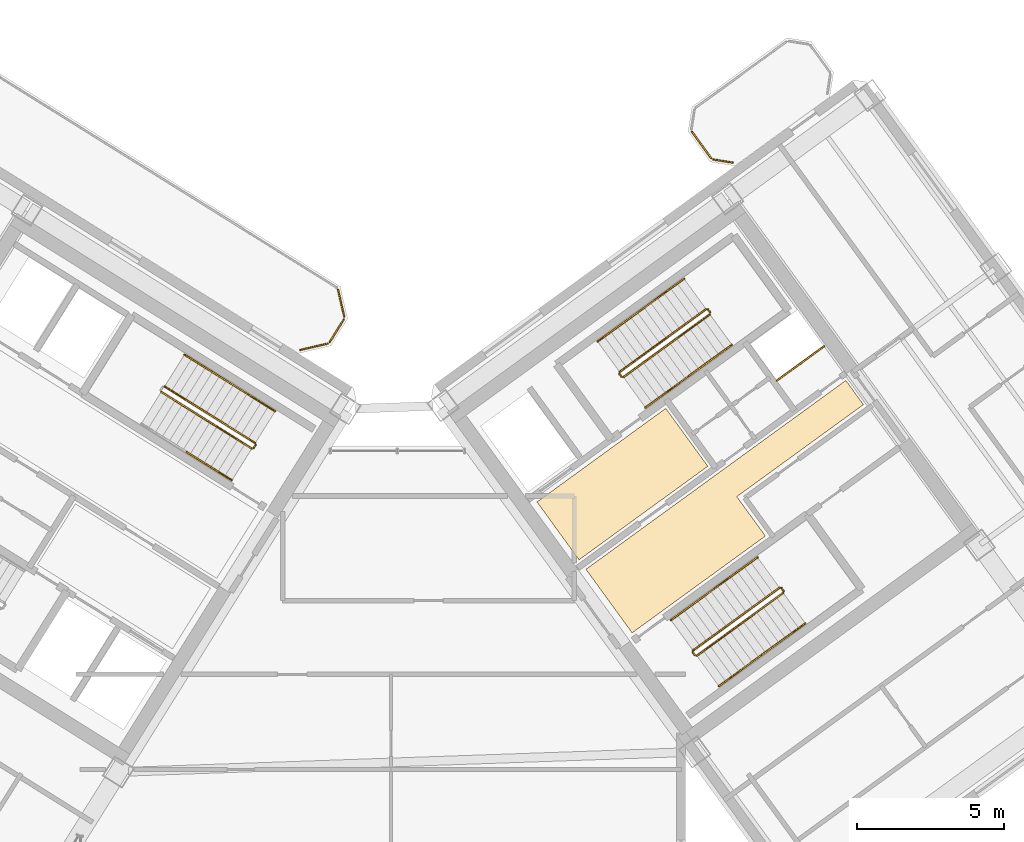
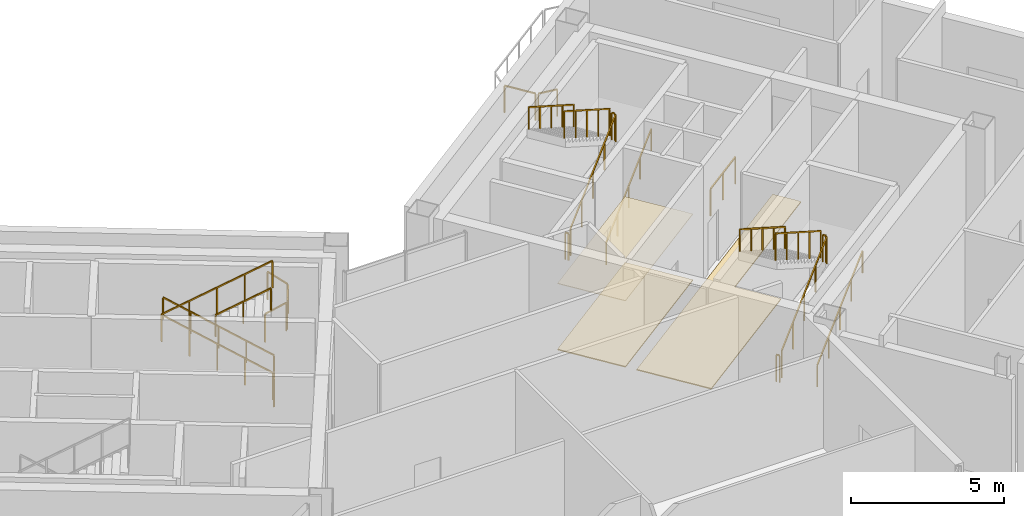
# One storey, part 25 of 26: 28 railings, 3 coverings.
"""IFC4 building model written with IfcOpenShell, lengths in metres."""

from ifc_helpers import new_model, si_unit, direction, frame, origin, origin_2d, place, context, subcontext, project, spatial, polyline, rectangle, outline, extrude, source, transform, mapped, material, layer, layer_set, type_object, element, save


model = new_model("IFC4")

# Units and contexts
model_context = context("Model", 3, precision=1e-05, world=origin(), true_north=direction((0.0, 1.0)))
body_context = subcontext(model_context, "Body", "Model", "MODEL_VIEW")
ifc_project = project(units=[si_unit("LENGTHUNIT", "METRE"), si_unit("AREAUNIT", "SQUARE_METRE"), si_unit("VOLUMEUNIT", "CUBIC_METRE"), si_unit("PLANEANGLEUNIT", "RADIAN"), si_unit("MASSUNIT", "GRAM", prefix="KILO")], contexts=[model_context])

# Site, building, storey
site_placement = place(None, origin())
site = spatial("IfcSite", under=ifc_project, at=site_placement, CompositionType="ELEMENT")
building_placement = place(site_placement, origin())
building = spatial("IfcBuilding", under=site, at=building_placement, Name="Tlacorven Tower", CompositionType="ELEMENT")
storey_placement = place(building_placement, frame((0.0, 0.0, 233.699951171875)))
storey = spatial("IfcBuildingStorey", under=building, at=storey_placement, Name="L59", CompositionType="ELEMENT", Elevation=233.699951171875)

# Coverings
ifc_material_1 = material(Name="Acoustic mineral-fibre ceiling")
ifc_layer_1 = layer(ifc_material_1, 0.02490234375)
ifc_layer_set_1 = layer_set([ifc_layer_1], Name="Acoustic mineral-fibre ceiling")
covering_type_1 = type_object("IfcCoveringType", Name="CV-CLG-ACST", PredefinedType="CEILING", material=ifc_layer_set_1)
covering_1_placement = place(storey_placement, frame((0.0, 0.0, 2.650146484375)))
element("IfcCovering", 1, at=covering_1_placement, inside=storey, type_object=covering_type_1, Name="L59 Acoustic Suspended Ceiling 3", PredefinedType="CEILING", context=body_context, shape_type="SweptSolid", body=[
    extrude(outline(polyline([(48.760498046875, 19.326171875), (47.326171875, 21.300048828125), (51.71923828125, 24.49169921875), (53.1533203125, 22.517822265625), (48.760498046875, 19.326171875)])), origin(), (0.0, 0.0, 1.0), 0.02490234375),
])
ifc_material_2 = material(Name="Terrazzo and ceramic flooring")
ifc_layer_2 = layer(ifc_material_2, 0.0400390625)
ifc_layer_set_2 = layer_set([ifc_layer_2], Name="Terrazzo and ceramic flooring")
covering_type_2 = type_object("IfcCoveringType", Name="CV-FLR-TERZ", PredefinedType="FLOORING", material=ifc_layer_set_2)
covering_2_placement = place(storey_placement, origin())
element("IfcCovering", 2, at=covering_2_placement, inside=storey, type_object=covering_type_2, Name="L59 Terrazzo Floor Finish 3", PredefinedType="FLOORING", context=body_context, shape_type="SweptSolid", body=[
    extrude(outline(polyline([(48.760498046875, 19.326171875), (47.326171875, 21.300048828125), (51.71923828125, 24.49169921875), (53.1533203125, 22.517822265625), (48.760498046875, 19.326171875)])), origin(), (0.0, 0.0, 1.0), 0.0400390625),
])
covering_3_placement = place(storey_placement, origin())
element("IfcCovering", 3, at=covering_3_placement, inside=storey, type_object=covering_type_2, Name="L59 Terrazzo Floor Finish 4", PredefinedType="FLOORING", context=body_context, shape_type="SweptSolid", body=[
    extrude(outline(polyline([(50.57080078125, 16.834228515625), (48.99560546875, 19.00244140625), (57.8623046875, 25.444580078125), (58.4619140625, 24.619384765625), (54.141845703125, 21.480712890625), (55.117431640625, 20.1376953125), (50.57080078125, 16.834228515625)])), origin(), (0.0, 0.0, 1.0), 0.0400390625),
])

# Railings
ifc_material_3 = material(Name="Aluminium and painted steel balustrade", Category="steel")
railing_type_1 = type_object("IfcRailingType", Name="RL-GRD-1100", PredefinedType="GUARDRAIL", material=ifc_material_3)
shared_shape_1 = source(origin(), body_context, "Body", "SweptSolid", [
    extrude(rectangle(XDim=0.048095703125, YDim=0.048095703125, at=origin_2d()), frame((0.0, 0.0, 1.076171875), z_axis=(0.808947177504, 0.587881334972, 0.0), x_axis=(-0.587881334972, 0.808947177504, 0.0)), (0.0, 0.0, 1.0), 2.0),
    extrude(rectangle(XDim=0.0419921875, YDim=0.0419921875, at=origin_2d()), origin(), (0.0, 0.0, 1.0), 1.052001953125),
    extrude(rectangle(XDim=0.0419921875, YDim=0.0419921875, at=origin_2d()), frame((0.80908203125, 0.587890625, 0.0)), (0.0, 0.0, 1.0), 1.052001953125),
    extrude(rectangle(XDim=0.0419921875, YDim=0.0419921875, at=origin_2d()), frame((1.617919921875, 1.17578125, 0.0)), (0.0, 0.0, 1.0), 1.052001953125),
])
railing_1_placement = place(storey_placement, frame((55.506103515625, 25.438232421875, 0.0)))
element("IfcRailing", 4, at=railing_1_placement, inside=storey, type_object=railing_type_1, Name="L59 Electrical Riser E Shaft Guard 1", PredefinedType="GUARDRAIL", context=body_context, shape_type="MappedRepresentation", body=[
    mapped(shared_shape_1, transform((0.0, 0.0, 0.0), scale=1.0)),
])
railing_type_2 = type_object("IfcRailingType", Name="RL-BAL-1100", PredefinedType="BALUSTRADE", material=ifc_material_3)
shared_shape_2 = source(origin(), body_context, "Body", "SweptSolid", [
    extrude(rectangle(XDim=0.048095703125, YDim=0.048095703125, at=origin_2d()), frame((0.0, 0.0, 1.076171875), z_axis=(-0.987718317463, 0.156245081039, 0.0), x_axis=(-0.156245081039, -0.987718317463, 0.0)), (0.0, 0.0, 1.0), 0.66552734375),
    extrude(rectangle(XDim=0.0419921875, YDim=0.0419921875, at=origin_2d()), origin(), (0.0, 0.0, 1.0), 1.052001953125),
    extrude(rectangle(XDim=0.0419921875, YDim=0.0419921875, at=origin_2d()), frame((-0.657470703125, 0.10400390625, 0.0)), (0.0, 0.0, 1.0), 1.052001953125),
])
railing_2_placement = place(storey_placement, frame((54.00341796875, 32.8759765625, 0.0)))
element("IfcRailing", 5, at=railing_2_placement, inside=storey, type_object=railing_type_2, Name="BAL-L59-E-IN Guard Railing 1", PredefinedType="BALUSTRADE", context=body_context, shape_type="MappedRepresentation", body=[
    mapped(shared_shape_2, transform((0.0, 0.0, 0.0), scale=1.0)),
])
shared_shape_3 = source(origin(), body_context, "Body", "SweptSolid", [
    extrude(rectangle(XDim=0.048095703125, YDim=0.048095703125, at=origin_2d()), frame((0.0, 0.0, 1.076171875), z_axis=(-0.587740817519, 0.809049276263, 0.0), x_axis=(-0.809049276263, -0.587740817519, 0.0)), (0.0, 0.0, 1.0), 1.112060546875),
    extrude(rectangle(XDim=0.0419921875, YDim=0.0419921875, at=origin_2d()), origin(), (0.0, 0.0, 1.0), 1.052001953125),
    extrude(rectangle(XDim=0.0419921875, YDim=0.0419921875, at=origin_2d()), frame((-0.653564453125, 0.899658203125, 0.0)), (0.0, 0.0, 1.0), 1.052001953125),
])
railing_3_placement = place(storey_placement, frame((53.26708984375, 33.0283203125, 0.0)))
element("IfcRailing", 6, at=railing_3_placement, inside=storey, type_object=railing_type_2, Name="BAL-L59-E-IN Guard Railing 2", PredefinedType="BALUSTRADE", context=body_context, shape_type="MappedRepresentation", body=[
    mapped(shared_shape_3, transform((0.0, 0.0, 0.0), scale=1.0)),
])
railing_type_3 = type_object("IfcRailingType", Name="RL-GRD-1150", PredefinedType="GUARDRAIL", material=ifc_material_3)
shared_shape_4 = source(origin(), body_context, "Body", "SweptSolid", [
    extrude(rectangle(XDim=0.048095703125, YDim=0.048095703125, at=origin_2d()), frame((0.0, 0.0, 1.1259765625), z_axis=(0.224690328384, -0.974430221376, 0.0), x_axis=(0.974430221376, 0.224690328384, 0.0)), (0.0, 0.0, 1.0), 0.948486328125),
    extrude(rectangle(XDim=0.0419921875, YDim=0.0419921875, at=origin_2d()), origin(), (0.0, 0.0, 1.0), 1.101806640625),
    extrude(rectangle(XDim=0.0419921875, YDim=0.0419921875, at=origin_2d()), frame((0.213134765625, -0.92431640625, 0.0)), (0.0, 0.0, 1.0), 1.101806640625),
])
railing_4_placement = place(storey_placement, frame((40.538330078125, 28.541748046875, 0.0)))
element("IfcRailing", 7, at=railing_4_placement, inside=storey, type_object=railing_type_3, Name="TER-L59-SGW Guard Railing 1", PredefinedType="GUARDRAIL", context=body_context, shape_type="MappedRepresentation", body=[
    mapped(shared_shape_4, transform((0.0, 0.0, 0.0), scale=1.0)),
])
shared_shape_5 = source(origin(), body_context, "Body", "SweptSolid", [
    extrude(rectangle(XDim=0.048095703125, YDim=0.048095703125, at=origin_2d()), frame((0.0, 0.0, 1.1259765625), z_axis=(-0.52987865805, -0.848073468364, 0.0), x_axis=(0.848073468364, -0.52987865805, 0.0)), (0.0, 0.0, 1.0), 0.912353515625),
    extrude(rectangle(XDim=0.0419921875, YDim=0.0419921875, at=origin_2d()), origin(), (0.0, 0.0, 1.0), 1.101806640625),
    extrude(rectangle(XDim=0.0419921875, YDim=0.0419921875, at=origin_2d()), frame((-0.4833984375, -0.773681640625, 0.0)), (0.0, 0.0, 1.0), 1.101806640625),
])
railing_5_placement = place(storey_placement, frame((40.736328125, 27.5263671875, 0.0)))
element("IfcRailing", 8, at=railing_5_placement, inside=storey, type_object=railing_type_3, Name="TER-L59-SGW Guard Railing 2", PredefinedType="GUARDRAIL", context=body_context, shape_type="MappedRepresentation", body=[
    mapped(shared_shape_5, transform((0.0, 0.0, 0.0), scale=1.0)),
])
shared_shape_6 = source(origin(), body_context, "Body", "SweptSolid", [
    extrude(rectangle(XDim=0.048095703125, YDim=0.048095703125, at=origin_2d()), frame((0.0, 0.0, 1.1259765625), z_axis=(-0.974373842523, -0.224934690535, 0.0), x_axis=(0.224934690535, -0.974373842523, 0.0)), (0.0, 0.0, 1.0), 0.94873046875),
    extrude(rectangle(XDim=0.0419921875, YDim=0.0419921875, at=origin_2d()), origin(), (0.0, 0.0, 1.0), 1.101806640625),
    extrude(rectangle(XDim=0.0419921875, YDim=0.0419921875, at=origin_2d()), frame((-0.92431640625, -0.21337890625, 0.0)), (0.0, 0.0, 1.0), 1.101806640625),
])
railing_6_placement = place(storey_placement, frame((40.177734375, 26.69921875, 0.0)))
element("IfcRailing", 9, at=railing_6_placement, inside=storey, type_object=railing_type_3, Name="TER-L59-SGW Guard Railing 3", PredefinedType="GUARDRAIL", context=body_context, shape_type="MappedRepresentation", body=[
    mapped(shared_shape_6, transform((0.0, 0.0, 0.0), scale=1.0)),
])
railing_type_4 = type_object("IfcRailingType", Name="RL-HND-0900", PredefinedType="HANDRAIL", material=ifc_material_3)
shared_shape_7 = source(origin(), body_context, "Body", "SweptSolid", [
    extrude(rectangle(XDim=0.048095703125, YDim=0.048095703125, at=origin_2d()), frame((0.0, 0.0, 0.8759765625), z_axis=(-0.723280932889, 0.45190757433, 0.522153460567), x_axis=(-0.529878353595, -0.848073658589, 0.0)), (0.0, 0.0, 1.0), 2.134033203125),
    extrude(rectangle(XDim=0.0419921875, YDim=0.0419921875, at=origin_2d()), origin(), (0.0, 0.0, 1.0), 0.851806640625),
    extrude(rectangle(XDim=0.0419921875, YDim=0.0419921875, at=origin_2d()), frame((-0.771728515625, 0.482177734375, 0.55712890625)), (0.0, 0.0, 1.0), 0.851806640625),
    extrude(rectangle(XDim=0.0419921875, YDim=0.0419921875, at=origin_2d()), frame((-1.54345703125, 0.96435546875, 1.1142578125)), (0.0, 0.0, 1.0), 0.851806640625),
])
railing_7_placement = place(storey_placement, frame((38.390625, 24.39501953125, 0.17138671875)))
element("IfcRailing", 10, at=railing_7_placement, inside=storey, type_object=railing_type_4, Name="L59 ST-W2 stair handrail 1", PredefinedType="HANDRAIL", context=body_context, shape_type="MappedRepresentation", body=[
    mapped(shared_shape_7, transform((0.0, 0.0, 0.0), scale=1.0)),
])
shared_shape_8 = source(origin(), body_context, "Body", "SweptSolid", [
    extrude(rectangle(XDim=0.048095703125, YDim=0.048095703125, at=origin_2d()), frame((0.0, 0.0, 0.8759765625), z_axis=(0.723243536433, -0.451998610004, 0.522126463189), x_axis=(0.529974825293, 0.848013375222, 0.0)), (0.0, 0.0, 1.0), 2.134033203125),
    extrude(rectangle(XDim=0.0419921875, YDim=0.0419921875, at=origin_2d()), origin(), (0.0, 0.0, 1.0), 0.851806640625),
    extrude(rectangle(XDim=0.0419921875, YDim=0.0419921875, at=origin_2d()), frame((0.771728515625, -0.482421875, 0.55712890625)), (0.0, 0.0, 1.0), 0.851806640625),
    extrude(rectangle(XDim=0.0419921875, YDim=0.0419921875, at=origin_2d()), frame((1.54345703125, -0.964599609375, 1.1142578125)), (0.0, 0.0, 1.0), 0.851806640625),
])
railing_8_placement = place(storey_placement, frame((35.3740234375, 23.001953125, 3.685791015625)))
element("IfcRailing", 11, at=railing_8_placement, inside=storey, type_object=railing_type_4, Name="L59 ST-W2 stair handrail 4", PredefinedType="HANDRAIL", context=body_context, shape_type="MappedRepresentation", body=[
    mapped(shared_shape_8, transform((0.0, 0.0, 0.0), scale=1.0)),
])
shared_shape_9 = source(origin(), body_context, "Body", "SweptSolid", [
    extrude(rectangle(XDim=0.048095703125, YDim=0.048095703125, at=origin_2d()), frame((0.0, 0.0, 1.076171875), z_axis=(-0.723240632901, 0.451939595108, 0.522181567364), x_axis=(-0.529926592015, -0.848043517206, 0.0)), (0.0, 0.0, 1.0), 4.26806640625),
    extrude(rectangle(XDim=0.0419921875, YDim=0.0419921875, at=origin_2d()), origin(), (0.0, 0.0, 1.0), 1.052001953125),
    extrude(rectangle(XDim=0.0419921875, YDim=0.0419921875, at=origin_2d()), frame((-0.771728515625, 0.482177734375, 0.55712890625)), (0.0, 0.0, 1.0), 1.052001953125),
    extrude(rectangle(XDim=0.0419921875, YDim=0.0419921875, at=origin_2d()), frame((-1.54345703125, 0.96435546875, 1.1142578125)), (0.0, 0.0, 1.0), 1.052001953125),
    extrude(rectangle(XDim=0.0419921875, YDim=0.0419921875, at=origin_2d()), frame((-2.315185546875, 1.44677734375, 1.671630859375)), (0.0, 0.0, 1.0), 1.052001953125),
    extrude(rectangle(XDim=0.0419921875, YDim=0.0419921875, at=origin_2d()), frame((-3.0869140625, 1.928955078125, 2.228759765625)), (0.0, 0.0, 1.0), 1.052001953125),
])
railing_9_placement = place(storey_placement, frame((37.712158203125, 23.3095703125, 0.17138671875)))
element("IfcRailing", 12, at=railing_9_placement, inside=storey, type_object=railing_type_1, Name="L59 ST-W2 stair guard 1", PredefinedType="GUARDRAIL", context=body_context, shape_type="MappedRepresentation", body=[
    mapped(shared_shape_9, transform((0.0, 0.0, 0.0), scale=1.0)),
])
shared_shape_10 = source(origin(), body_context, "Body", "SweptSolid", [
    extrude(rectangle(XDim=0.048095703125, YDim=0.048095703125, at=origin_2d()), frame((0.0, 0.0, 1.076171875), z_axis=(-0.530546985787, -0.847655529016, 0.0), x_axis=(0.847655529016, -0.530546985787, 0.0)), (0.0, 0.0, 1.0), 0.1201171875),
    extrude(rectangle(XDim=0.0419921875, YDim=0.0419921875, at=origin_2d()), origin(), (0.0, 0.0, 1.0), 1.052001953125),
    extrude(rectangle(XDim=0.0419921875, YDim=0.0419921875, at=origin_2d()), frame((-0.063720703125, -0.101806640625, 0.0)), (0.0, 0.0, 1.0), 1.052001953125),
])
railing_10_placement = place(storey_placement, frame((37.728271484375, 23.24072265625, 0.0)))
element("IfcRailing", 13, at=railing_10_placement, inside=storey, type_object=railing_type_1, Name="L59 ST-W2 stair guard 4", PredefinedType="GUARDRAIL", context=body_context, shape_type="MappedRepresentation", body=[
    mapped(shared_shape_10, transform((0.0, 0.0, 0.0), scale=1.0)),
])
shared_shape_11 = source(origin(), body_context, "Body", "SweptSolid", [
    extrude(rectangle(XDim=0.048095703125, YDim=0.048095703125, at=origin_2d()), frame((0.0, 0.0, 1.076171875), z_axis=(0.723280932889, -0.45190757433, 0.522153460567), x_axis=(0.529878353595, 0.848073658589, 0.0)), (0.0, 0.0, 1.0), 4.267822265625),
    extrude(rectangle(XDim=0.0419921875, YDim=0.0419921875, at=origin_2d()), origin(), (0.0, 0.0, 1.0), 1.052001953125),
    extrude(rectangle(XDim=0.0419921875, YDim=0.0419921875, at=origin_2d()), frame((0.771728515625, -0.482177734375, 0.55712890625)), (0.0, 0.0, 1.0), 1.052001953125),
    extrude(rectangle(XDim=0.0419921875, YDim=0.0419921875, at=origin_2d()), frame((1.54345703125, -0.96435546875, 1.1142578125)), (0.0, 0.0, 1.0), 1.052001953125),
    extrude(rectangle(XDim=0.0419921875, YDim=0.0419921875, at=origin_2d()), frame((2.315185546875, -1.446533203125, 1.67138671875)), (0.0, 0.0, 1.0), 1.052001953125),
    extrude(rectangle(XDim=0.0419921875, YDim=0.0419921875, at=origin_2d()), frame((3.0869140625, -1.9287109375, 2.228515625)), (0.0, 0.0, 1.0), 1.052001953125),
])
railing_11_placement = place(storey_placement, frame((34.5087890625, 25.0517578125, 2.571533203125)))
element("IfcRailing", 14, at=railing_11_placement, inside=storey, type_object=railing_type_1, Name="L59 ST-W2 stair guard 3", PredefinedType="GUARDRAIL", context=body_context, shape_type="MappedRepresentation", body=[
    mapped(shared_shape_11, transform((0.0, 0.0, 0.0), scale=1.0)),
])
shared_shape_12 = source(origin(), body_context, "Body", "SweptSolid", [
    extrude(rectangle(XDim=0.048095703125, YDim=0.048095703125, at=origin_2d()), frame((0.0, 0.0, 0.8759765625), z_axis=(-0.723200334916, 0.451971610764, 0.522209669233), x_axis=(-0.529974825293, -0.848013375222, 0.0)), (0.0, 0.0, 1.0), 2.13427734375),
    extrude(rectangle(XDim=0.0419921875, YDim=0.0419921875, at=origin_2d()), origin(), (0.0, 0.0, 1.0), 0.851806640625),
    extrude(rectangle(XDim=0.0419921875, YDim=0.0419921875, at=origin_2d()), frame((-0.771728515625, 0.482421875, 0.55712890625)), (0.0, 0.0, 1.0), 0.851806640625),
    extrude(rectangle(XDim=0.0419921875, YDim=0.0419921875, at=origin_2d()), frame((-1.54345703125, 0.964599609375, 1.114501953125)), (0.0, 0.0, 1.0), 0.851806640625),
])
railing_12_placement = place(storey_placement, frame((36.84716796875, 25.359375, 1.28564453125)))
element("IfcRailing", 15, at=railing_12_placement, inside=storey, type_object=railing_type_4, Name="L59 ST-W2 stair handrail 2", PredefinedType="HANDRAIL", context=body_context, shape_type="MappedRepresentation", body=[
    mapped(shared_shape_12, transform((0.0, 0.0, 0.0), scale=1.0)),
])
shared_shape_13 = source(origin(), body_context, "Body", "SweptSolid", [
    extrude(rectangle(XDim=0.048095703125, YDim=0.048095703125, at=origin_2d()), frame((0.0, 0.0, 1.076171875), z_axis=(-0.587567097037, 0.809175448515, 0.0), x_axis=(-0.809175448515, -0.587567097037, 0.0)), (0.0, 0.0, 1.0), 0.1201171875),
    extrude(rectangle(XDim=0.0419921875, YDim=0.0419921875, at=origin_2d()), origin(), (0.0, 0.0, 1.0), 1.052001953125),
    extrude(rectangle(XDim=0.0419921875, YDim=0.0419921875, at=origin_2d()), frame((-0.070556640625, 0.09716796875, 0.0)), (0.0, 0.0, 1.0), 1.052001953125),
])
for number, where, name in (
    (16, (53.233154296875, 27.76708984375, 2.400146484375), "L59 ST-E1 stair guard 2"),
    (17, (55.737060546875, 18.263916015625, 2.400146484375), "L59 ST-E2 stair guard 2"),
    (18, (52.71142578125, 16.065673828125, 0.0), "L59 ST-E2 stair guard 4"),
):
    element("IfcRailing", number, at=place(storey_placement, frame(where)), inside=storey, type_object=railing_type_1, Name=name, PredefinedType="GUARDRAIL", context=body_context, shape_type="MappedRepresentation", body=[
        mapped(shared_shape_13, transform((0.0, 0.0, 0.0), scale=1.0)),
    ])
shared_shape_14 = source(origin(), body_context, "Body", "SweptSolid", [
    extrude(rectangle(XDim=0.048095703125, YDim=0.048095703125, at=origin_2d()), frame((0.0, 0.0, 1.076171875), z_axis=(-0.689987059858, -0.501273139242, 0.522152369623), x_axis=(0.587760844897, -0.809034726823, 0.0)), (0.0, 0.0, 1.0), 4.267822265625),
    extrude(rectangle(XDim=0.0419921875, YDim=0.0419921875, at=origin_2d()), origin(), (0.0, 0.0, 1.0), 1.052001953125),
    extrude(rectangle(XDim=0.0419921875, YDim=0.0419921875, at=origin_2d()), frame((-0.736328125, -0.534912109375, 0.55712890625)), (0.0, 0.0, 1.0), 1.052001953125),
    extrude(rectangle(XDim=0.0419921875, YDim=0.0419921875, at=origin_2d()), frame((-1.472412109375, -1.06982421875, 1.1142578125)), (0.0, 0.0, 1.0), 1.052001953125),
    extrude(rectangle(XDim=0.0419921875, YDim=0.0419921875, at=origin_2d()), frame((-2.20849609375, -1.6044921875, 1.67138671875)), (0.0, 0.0, 1.0), 1.052001953125),
    extrude(rectangle(XDim=0.0419921875, YDim=0.0419921875, at=origin_2d()), frame((-2.94482421875, -2.139404296875, 2.228515625)), (0.0, 0.0, 1.0), 1.052001953125),
])
for number, where, name in (
    (19, (53.0927734375, 27.875244140625, 2.571533203125), "L59 ST-E1 stair guard 3"),
    (20, (55.5966796875, 18.3720703125, 2.571533203125), "L59 ST-E2 stair guard 3"),
):
    element("IfcRailing", number, at=place(storey_placement, frame(where)), inside=storey, type_object=railing_type_1, Name=name, PredefinedType="GUARDRAIL", context=body_context, shape_type="MappedRepresentation", body=[
        mapped(shared_shape_14, transform((0.0, 0.0, 0.0), scale=1.0)),
    ])
shared_shape_15 = source(origin(), body_context, "Body", "SweptSolid", [
    extrude(rectangle(XDim=0.048095703125, YDim=0.048095703125, at=origin_2d()), frame((0.0, 0.0, 1.076171875), z_axis=(-0.587201422542, 0.809440849824, 0.0), x_axis=(-0.809440849824, -0.587201422542, 0.0)), (0.0, 0.0, 1.0), 0.11962890625),
    extrude(rectangle(XDim=0.0419921875, YDim=0.0419921875, at=origin_2d()), origin(), (0.0, 0.0, 1.0), 1.052001953125),
    extrude(rectangle(XDim=0.0419921875, YDim=0.0419921875, at=origin_2d()), frame((-0.0703125, 0.096923828125, 0.0)), (0.0, 0.0, 1.0), 1.052001953125),
])
railing_13_placement = place(storey_placement, frame((50.207275390625, 25.56884765625, 0.0)))
element("IfcRailing", 21, at=railing_13_placement, inside=storey, type_object=railing_type_1, Name="L59 ST-E1 stair guard 4", PredefinedType="GUARDRAIL", context=body_context, shape_type="MappedRepresentation", body=[
    mapped(shared_shape_15, transform((0.0, 0.0, 0.0), scale=1.0)),
])
shared_shape_16 = source(origin(), body_context, "Body", "SweptSolid", [
    extrude(rectangle(XDim=0.048095703125, YDim=0.048095703125, at=origin_2d()), frame((0.0, 0.0, 0.8759765625), z_axis=(0.689967274537, 0.501315967008, 0.522137396947), x_axis=(-0.587804744085, 0.8090028324, 0.0)), (0.0, 0.0, 1.0), 2.134033203125),
    extrude(rectangle(XDim=0.0419921875, YDim=0.0419921875, at=origin_2d()), origin(), (0.0, 0.0, 1.0), 0.851806640625),
    extrude(rectangle(XDim=0.0419921875, YDim=0.0419921875, at=origin_2d()), frame((0.736328125, 0.534912109375, 0.55712890625)), (0.0, 0.0, 1.0), 0.851806640625),
    extrude(rectangle(XDim=0.0419921875, YDim=0.0419921875, at=origin_2d()), frame((1.472412109375, 1.06982421875, 1.1142578125)), (0.0, 0.0, 1.0), 0.851806640625),
])
for number, where, name in (
    (22, (51.029541015625, 24.522216796875, 0.17138671875), "L59 ST-E1 stair handrail 1"),
    (23, (53.53369140625, 15.01904296875, 0.17138671875), "L59 ST-E2 stair handrail 1"),
):
    element("IfcRailing", number, at=place(storey_placement, frame(where)), inside=storey, type_object=railing_type_4, Name=name, PredefinedType="HANDRAIL", context=body_context, shape_type="MappedRepresentation", body=[
        mapped(shared_shape_16, transform((0.0, 0.0, 0.0), scale=1.0)),
    ])
shared_shape_17 = source(origin(), body_context, "Body", "SweptSolid", [
    extrude(rectangle(XDim=0.048095703125, YDim=0.048095703125, at=origin_2d()), frame((0.0, 0.0, 0.8759765625), z_axis=(-0.689967274537, -0.501315967008, 0.522137396947), x_axis=(0.587804744085, -0.8090028324, 0.0)), (0.0, 0.0, 1.0), 2.134033203125),
    extrude(rectangle(XDim=0.0419921875, YDim=0.0419921875, at=origin_2d()), origin(), (0.0, 0.0, 1.0), 0.851806640625),
    extrude(rectangle(XDim=0.0419921875, YDim=0.0419921875, at=origin_2d()), frame((-0.736328125, -0.534912109375, 0.55712890625)), (0.0, 0.0, 1.0), 0.851806640625),
    extrude(rectangle(XDim=0.0419921875, YDim=0.0419921875, at=origin_2d()), frame((-1.472412109375, -1.06982421875, 1.1142578125)), (0.0, 0.0, 1.0), 0.851806640625),
])
for number, where, name in (
    (24, (52.34033203125, 28.910888671875, 2.571533203125), "L59 ST-E1 stair handrail 3"),
    (25, (50.867919921875, 27.841064453125, 3.685791015625), "L59 ST-E1 stair handrail 4"),
    (26, (54.844482421875, 19.40771484375, 2.571533203125), "L59 ST-E2 stair handrail 3"),
    (27, (53.3720703125, 18.337890625, 3.685791015625), "L59 ST-E2 stair handrail 4"),
):
    element("IfcRailing", number, at=place(storey_placement, frame(where)), inside=storey, type_object=railing_type_4, Name=name, PredefinedType="HANDRAIL", context=body_context, shape_type="MappedRepresentation", body=[
        mapped(shared_shape_17, transform((0.0, 0.0, 0.0), scale=1.0)),
    ])
shared_shape_18 = source(origin(), body_context, "Body", "SweptSolid", [
    extrude(rectangle(XDim=0.048095703125, YDim=0.048095703125, at=origin_2d()), frame((0.0, 0.0, 1.076171875), z_axis=(0.689936478142, 0.501277950249, 0.522214584939), x_axis=(-0.587792740661, 0.809011553704, 0.0)), (0.0, 0.0, 1.0), 4.267822265625),
    extrude(rectangle(XDim=0.0419921875, YDim=0.0419921875, at=origin_2d()), origin(), (0.0, 0.0, 1.0), 1.052001953125),
    extrude(rectangle(XDim=0.0419921875, YDim=0.0419921875, at=origin_2d()), frame((0.736083984375, 0.534912109375, 0.55712890625)), (0.0, 0.0, 1.0), 1.052001953125),
    extrude(rectangle(XDim=0.0419921875, YDim=0.0419921875, at=origin_2d()), frame((1.47216796875, 1.06982421875, 1.1142578125)), (0.0, 0.0, 1.0), 1.052001953125),
    extrude(rectangle(XDim=0.0419921875, YDim=0.0419921875, at=origin_2d()), frame((2.20849609375, 1.6044921875, 1.671630859375)), (0.0, 0.0, 1.0), 1.052001953125),
    extrude(rectangle(XDim=0.0419921875, YDim=0.0419921875, at=origin_2d()), frame((2.944580078125, 2.139404296875, 2.228759765625)), (0.0, 0.0, 1.0), 1.052001953125),
])
railing_14_placement = place(storey_placement, frame((50.27734375, 25.557861328125, 0.17138671875)))
element("IfcRailing", 28, at=railing_14_placement, inside=storey, type_object=railing_type_1, Name="L59 ST-E1 stair guard 1", PredefinedType="GUARDRAIL", context=body_context, shape_type="MappedRepresentation", body=[
    mapped(shared_shape_18, transform((0.0, 0.0, 0.0), scale=1.0)),
])
shared_shape_19 = source(origin(), body_context, "Body", "SweptSolid", [
    extrude(rectangle(XDim=0.048095703125, YDim=0.048095703125, at=origin_2d()), frame((0.0, 0.0, 0.8759765625), z_axis=(0.689965621981, 0.501200363107, 0.522250549551), x_axis=(-0.587716940517, 0.809066621379, 0.0)), (0.0, 0.0, 1.0), 2.134033203125),
    extrude(rectangle(XDim=0.0419921875, YDim=0.0419921875, at=origin_2d()), origin(), (0.0, 0.0, 1.0), 0.851806640625),
    extrude(rectangle(XDim=0.0419921875, YDim=0.0419921875, at=origin_2d()), frame((0.736328125, 0.53466796875, 0.55712890625)), (0.0, 0.0, 1.0), 0.851806640625),
    extrude(rectangle(XDim=0.0419921875, YDim=0.0419921875, at=origin_2d()), frame((1.472412109375, 1.069580078125, 1.114501953125)), (0.0, 0.0, 1.0), 0.851806640625),
])
railing_15_placement = place(storey_placement, frame((52.501953125, 25.592041015625, 1.28564453125)))
element("IfcRailing", 29, at=railing_15_placement, inside=storey, type_object=railing_type_4, Name="L59 ST-E1 stair handrail 2", PredefinedType="HANDRAIL", context=body_context, shape_type="MappedRepresentation", body=[
    mapped(shared_shape_19, transform((0.0, 0.0, 0.0), scale=1.0)),
])
shared_shape_20 = source(origin(), body_context, "Body", "SweptSolid", [
    extrude(rectangle(XDim=0.048095703125, YDim=0.048095703125, at=origin_2d()), frame((0.0, 0.0, 1.076171875), z_axis=(0.689966450515, 0.501258166628, 0.522193975025), x_axis=(-0.587760844897, 0.809034726823, 0.0)), (0.0, 0.0, 1.0), 4.26806640625),
    extrude(rectangle(XDim=0.0419921875, YDim=0.0419921875, at=origin_2d()), origin(), (0.0, 0.0, 1.0), 1.052001953125),
    extrude(rectangle(XDim=0.0419921875, YDim=0.0419921875, at=origin_2d()), frame((0.736328125, 0.534912109375, 0.55712890625)), (0.0, 0.0, 1.0), 1.052001953125),
    extrude(rectangle(XDim=0.0419921875, YDim=0.0419921875, at=origin_2d()), frame((1.472412109375, 1.06982421875, 1.1142578125)), (0.0, 0.0, 1.0), 1.052001953125),
    extrude(rectangle(XDim=0.0419921875, YDim=0.0419921875, at=origin_2d()), frame((2.20849609375, 1.6044921875, 1.671630859375)), (0.0, 0.0, 1.0), 1.052001953125),
    extrude(rectangle(XDim=0.0419921875, YDim=0.0419921875, at=origin_2d()), frame((2.94482421875, 2.139404296875, 2.228759765625)), (0.0, 0.0, 1.0), 1.052001953125),
])
railing_16_placement = place(storey_placement, frame((52.78125, 16.0546875, 0.17138671875)))
element("IfcRailing", 30, at=railing_16_placement, inside=storey, type_object=railing_type_1, Name="L59 ST-E2 stair guard 1", PredefinedType="GUARDRAIL", context=body_context, shape_type="MappedRepresentation", body=[
    mapped(shared_shape_20, transform((0.0, 0.0, 0.0), scale=1.0)),
])
shared_shape_21 = source(origin(), body_context, "Body", "SweptSolid", [
    extrude(rectangle(XDim=0.048095703125, YDim=0.048095703125, at=origin_2d()), frame((0.0, 0.0, 0.8759765625), z_axis=(0.689926058986, 0.501286020639, 0.522220603427), x_axis=(-0.587804744085, 0.8090028324, 0.0)), (0.0, 0.0, 1.0), 2.13427734375),
    extrude(rectangle(XDim=0.0419921875, YDim=0.0419921875, at=origin_2d()), origin(), (0.0, 0.0, 1.0), 0.851806640625),
    extrude(rectangle(XDim=0.0419921875, YDim=0.0419921875, at=origin_2d()), frame((0.736328125, 0.534912109375, 0.55712890625)), (0.0, 0.0, 1.0), 0.851806640625),
    extrude(rectangle(XDim=0.0419921875, YDim=0.0419921875, at=origin_2d()), frame((1.472412109375, 1.06982421875, 1.114501953125)), (0.0, 0.0, 1.0), 0.851806640625),
])
railing_17_placement = place(storey_placement, frame((55.006103515625, 16.0888671875, 1.28564453125)))
element("IfcRailing", 31, at=railing_17_placement, inside=storey, type_object=railing_type_4, Name="L59 ST-E2 stair handrail 2", PredefinedType="HANDRAIL", context=body_context, shape_type="MappedRepresentation", body=[
    mapped(shared_shape_21, transform((0.0, 0.0, 0.0), scale=1.0)),
])

save(model, "model.ifc")
